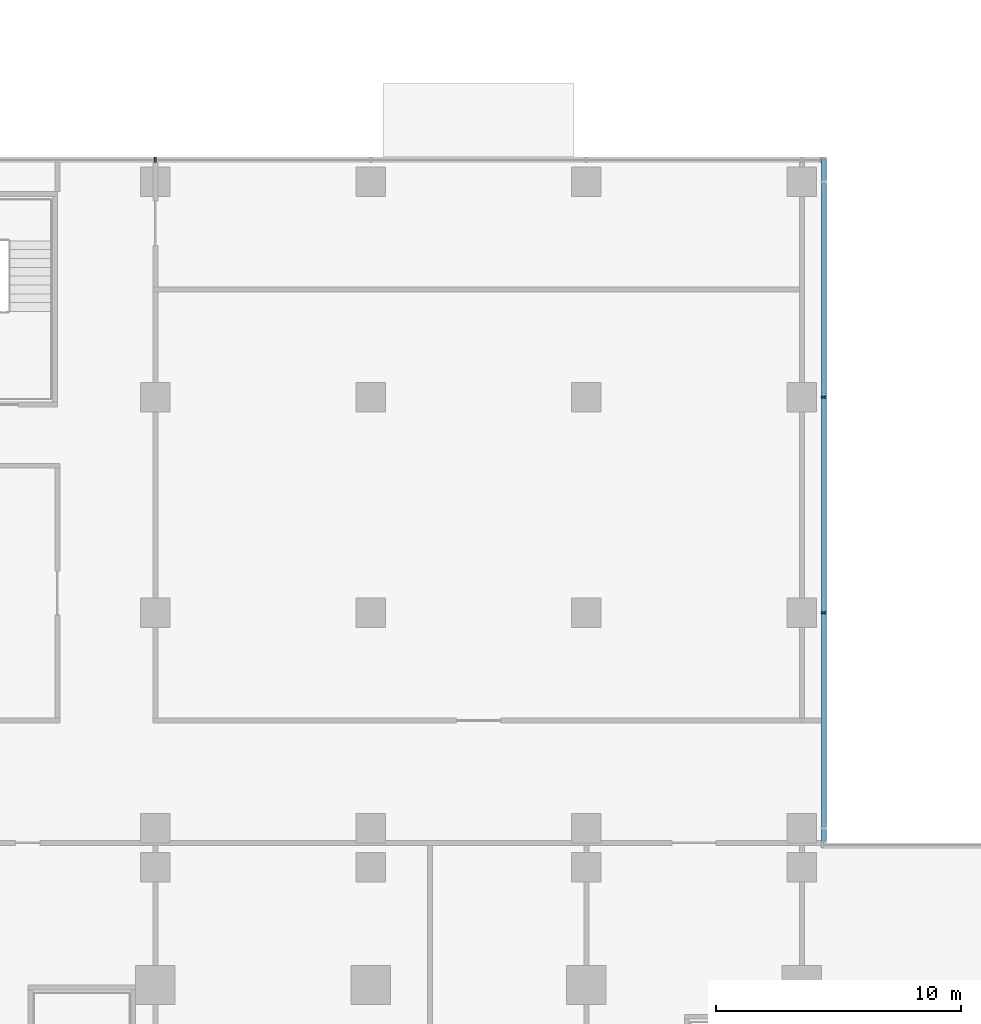
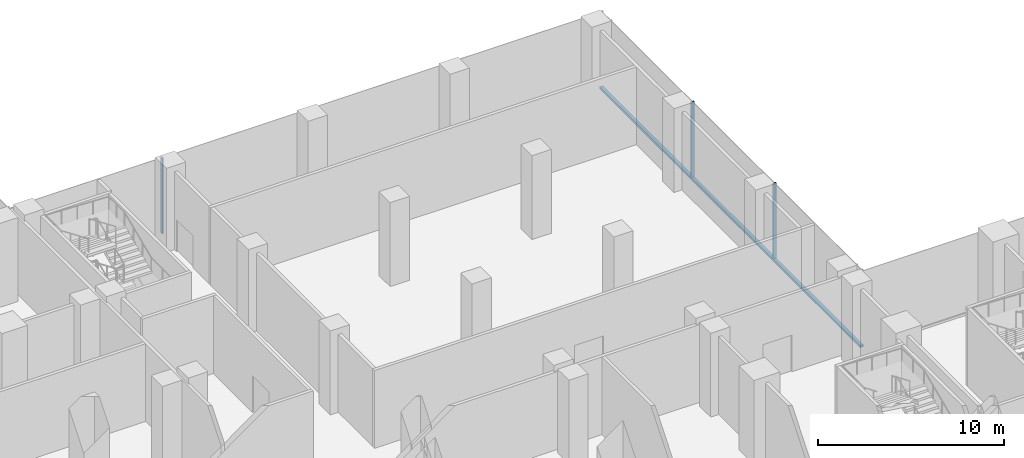
# One storey, part 8 of 30: 4 members, 2 elements without a shape of their own.
"""IFC4 building model written with IfcOpenShell, lengths in metres."""

from ifc_helpers import new_model, si_unit, direction, frame, origin, origin_2d, place, context, subcontext, project, spatial, rectangle, extrude, source, transform, mapped, material, material_profile, profile_set, type_object, element, aggregate, save


model = new_model("IFC4")

# Units and contexts
model_context = context("Model", 3, precision=1e-05, world=origin(), true_north=direction((0.0, 1.0)))
body_context = subcontext(model_context, "Body", "Model", "MODEL_VIEW")
ifc_project = project(units=[si_unit("LENGTHUNIT", "METRE"), si_unit("AREAUNIT", "SQUARE_METRE"), si_unit("VOLUMEUNIT", "CUBIC_METRE"), si_unit("PLANEANGLEUNIT", "RADIAN"), si_unit("MASSUNIT", "GRAM", prefix="KILO")], contexts=[model_context])

# Site, building, storey
site_placement = place(None, origin())
site = spatial("IfcSite", under=ifc_project, at=site_placement, CompositionType="ELEMENT")
building_placement = place(site_placement, origin())
building = spatial("IfcBuilding", under=site, at=building_placement, Name="Kemantara Hotel Tower", CompositionType="ELEMENT")
storey_placement = place(building_placement, frame((0.0, 0.0, 7.5)))
storey = spatial("IfcBuildingStorey", under=building, at=storey_placement, Name="L01", CompositionType="ELEMENT", Elevation=7.5)

# Curtain wall, members
ifc_material_1 = material(Name="Laminated tinted insulated glass 44 mm", Category="glass")
curtain_wall_type = type_object("IfcCurtainWallType", Name="PODIUM GLASS CURTAIN WALL", PredefinedType="USERDEFINED", material=ifc_material_1)
curtain_wall_1_placement = place(storey_placement, origin())
curtain_wall_1 = element("IfcCurtainWall", 1, at=curtain_wall_1_placement, inside=storey, type_object=curtain_wall_type, Name="CW1 L01 POD-R08-1", ObjectType="PODIUM GLASS CURTAIN WALL", PredefinedType="USERDEFINED")
ifc_material_2 = material(Name="Aluminium 6063-T6 bronze anodised", Category="aluminium")
ifc_material_profile_1 = material_profile(ifc_material_2, rectangle(XDim=0.199951171875, YDim=0.14990234375, at=origin_2d()), Name="PODIUM GLASS CURTAIN WALL TRANSOM")
ifc_profile_set_1 = profile_set([ifc_material_profile_1], Name="Aluminium 6063-T6 bronze anodised")
member_type_1 = type_object("IfcMemberType", Name="PODIUM GLASS CURTAIN WALL TRANSOM", PredefinedType="USERDEFINED", material=ifc_profile_set_1)
member_1_placement = place(storey_placement, frame((63.5, 26.800048828125, 0.074951171875), z_axis=(0.0, 1.0, 0.0), x_axis=(-1.0, 0.0, 0.0)))
member_1 = element("IfcMember", 2, at=member_1_placement, type_object=member_type_1, Name="CW1 sill transom POD-R08-1", ObjectType="TRANSOM", PredefinedType="USERDEFINED", context=body_context, shape_type="SweptSolid", body=[
    extrude(rectangle(XDim=0.199951171875, YDim=0.14990234375, at=origin_2d()), origin(), (0.0, 0.0, 1.0), 28.0),
])
ifc_material_profile_2 = material_profile(ifc_material_2, rectangle(XDim=0.199951171875, YDim=0.074951171875, at=origin_2d()), Name="PODIUM GLASS CURTAIN WALL MULLION")
ifc_profile_set_2 = profile_set([ifc_material_profile_2], Name="Aluminium 6063-T6 bronze anodised")
member_type_2 = type_object("IfcMemberType", Name="PODIUM GLASS CURTAIN WALL MULLION", PredefinedType="MULLION", material=ifc_profile_set_2)
shared_shape = source(origin(), body_context, "Body", "SweptSolid", [
    extrude(rectangle(XDim=0.199951171875, YDim=0.074951171875, at=origin_2d()), origin(), (0.0, 0.0, 1.0), 4.9501953125),
])
member_2_placement = place(storey_placement, frame((63.5, 36.199951171875, 0.14990234375), z_axis=(0.0, 0.0, 1.0), x_axis=(-1.0, 0.0, 0.0)))
member_2 = element("IfcMember", 3, at=member_2_placement, type_object=member_type_2, Name="CW1 mullion POD-R08-1.3", PredefinedType="MULLION", context=body_context, shape_type="MappedRepresentation", body=[
    mapped(shared_shape, transform((0.0, 0.0, 0.0))),
])
member_3_placement = place(storey_placement, frame((63.5, 45.0, 0.14990234375), z_axis=(0.0, 0.0, 1.0), x_axis=(-1.0, 0.0, 0.0)))
member_3 = element("IfcMember", 4, at=member_3_placement, type_object=member_type_2, Name="CW1 mullion POD-R08-1.4", PredefinedType="MULLION", context=body_context, shape_type="MappedRepresentation", body=[
    mapped(shared_shape, transform((0.0, 0.0, 0.0))),
])
aggregate(curtain_wall_1, [member_1, member_2, member_3])

# Curtain wall, member
curtain_wall_2_placement = place(storey_placement, origin())
curtain_wall_2 = element("IfcCurtainWall", 5, at=curtain_wall_2_placement, inside=storey, type_object=curtain_wall_type, Name="CW1 L01 POD-R09-1", ObjectType="PODIUM GLASS CURTAIN WALL", PredefinedType="USERDEFINED")
member_4_placement = place(storey_placement, frame((36.199951171875, 54.699951171875, 0.14990234375), z_axis=(0.0, 0.0, 1.0), x_axis=(0.0, -1.0, 0.0)))
member_4 = element("IfcMember", 6, at=member_4_placement, type_object=member_type_2, Name="CW1 mullion POD-R09-1.5", PredefinedType="MULLION", context=body_context, shape_type="MappedRepresentation", body=[
    mapped(shared_shape, transform((0.0, 0.0, 0.0))),
])
aggregate(curtain_wall_2, [member_4])

save(model, "model.ifc")
